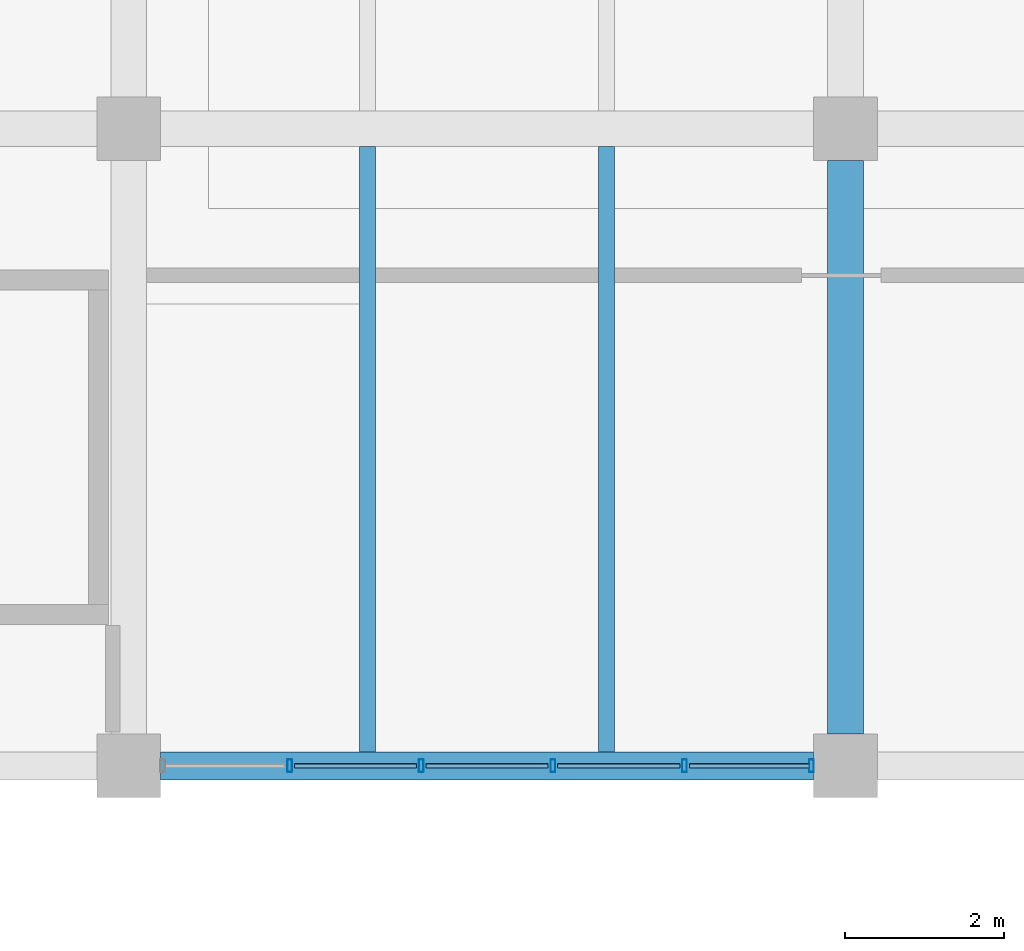
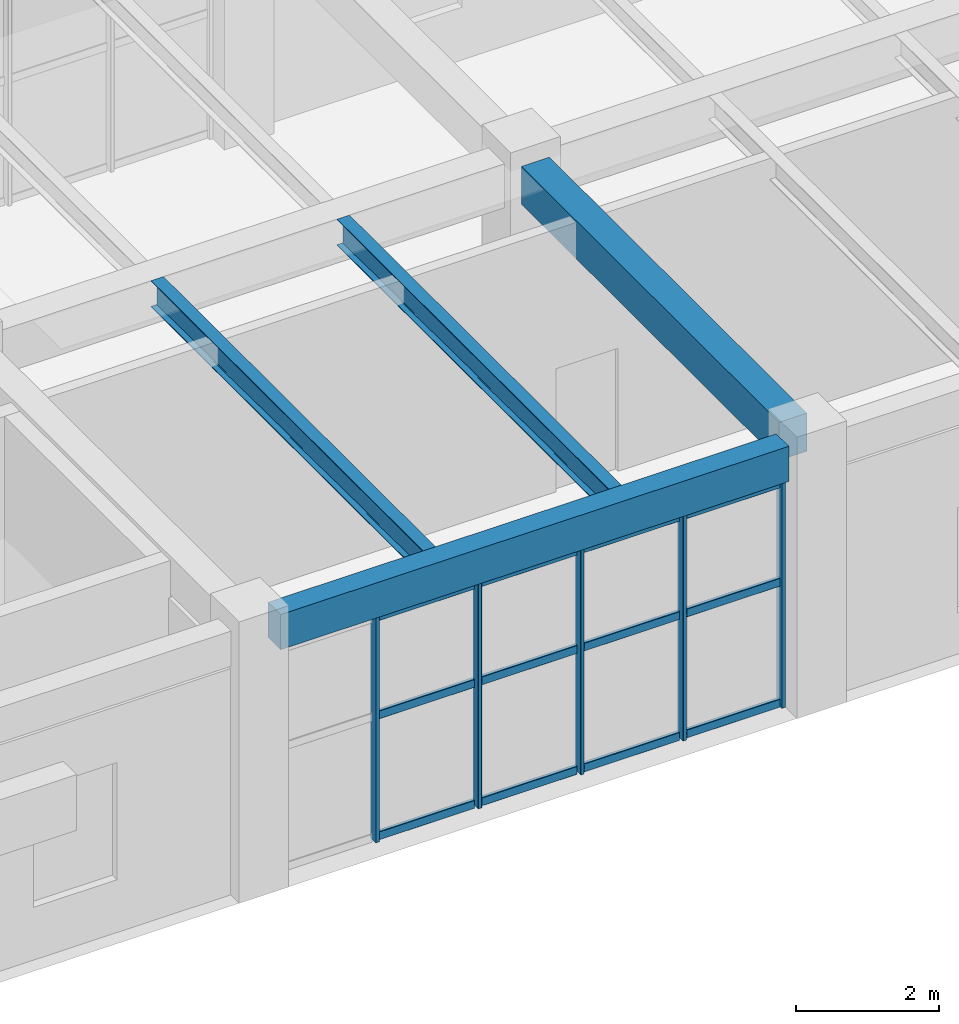
# One storey, part 109 of 178: 17 members, 4 beams, 1 element without a shape of its own.
"""IFC4 building model written with IfcOpenShell, lengths in metres."""

import ifcopenshell
import ifcopenshell.guid

model = None  # the IFC model being written
_history = None  # IfcOwnerHistory: only IFC2X3 demands one
_inside = {}  # id of a spatial element -> (the spatial element, [elements in it])
_under = {}  # id of a project, library or spatial element -> (it, [spatial elements below it])
_declared = {}  # id of a project -> (the project, [libraries it declares])
_typed = {}  # id of a type object -> (the type object, [elements of that type])
_made_of = {}  # id of a material, layer set ... -> (it, [elements and type objects made of it])


def new_model(schema):
    """Start an empty IFC model of exactly this schema.

    Asked for "IFC4X3", IfcOpenShell would pick the latest addendum, in which some entities
    have other attributes; the version numbers below select the first issue.
    IFC2X3 requires an IfcOwnerHistory on every rooted entity: one is made here for all.
    """
    global model, _history
    if schema == "IFC4X3":
        model = ifcopenshell.file(schema_version=(4, 3, 0, 0))
    else:
        model = ifcopenshell.file(schema=schema)
    _inside.clear()
    _under.clear()
    _declared.clear()
    _typed.clear()
    _made_of.clear()
    _history = None
    if model.schema == "IFC2X3":
        org = make("IfcOrganization", Name="unknown")
        user = make(
            "IfcPersonAndOrganization",
            ThePerson=make("IfcPerson", FamilyName="unknown"),
            TheOrganization=org,
        )
        app = make(
            "IfcApplication",
            ApplicationDeveloper=org,
            Version="unknown",
            ApplicationFullName="unknown",
            ApplicationIdentifier="unknown",
        )
        _history = make(
            "IfcOwnerHistory",
            OwningUser=user,
            OwningApplication=app,
            ChangeAction="ADDED",
            CreationDate=0,
        )
    return model


def make(cls, **values):
    """One entity of the class cls with the attributes given. An attribute that is None is left unset."""
    return model.create_entity(
        cls, **{name: value for name, value in values.items() if value is not None}
    )


def rooted(cls, **values):
    """An entity with a GlobalId (a new one), such as an element, a storey or a relation."""
    return make(cls, GlobalId=ifcopenshell.guid.new(), OwnerHistory=_history, **values)


def si_unit(unit_type, name, prefix=None):
    """IfcSIUnit, for example si_unit("LENGTHUNIT", "METRE", prefix="MILLI")."""
    return make("IfcSIUnit", UnitType=unit_type, Prefix=prefix, Name=name)


def derived_unit(unit_type, elements):
    """IfcDerivedUnit: a product of units, each with its exponent."""
    return make(
        "IfcDerivedUnit",
        Elements=[
            make("IfcDerivedUnitElement", Unit=unit, Exponent=power)
            for unit, power in elements
        ],
        UnitType=unit_type,
    )


def assignment(units):
    """IfcUnitAssignment: the units of a project."""
    return None if units is None else make("IfcUnitAssignment", Units=units)


def point(xyz):
    """IfcCartesianPoint."""
    return None if xyz is None else make("IfcCartesianPoint", Coordinates=xyz)


def direction(xyz):
    """IfcDirection."""
    return None if xyz is None else make("IfcDirection", DirectionRatios=xyz)


def frame(location, z_axis=None, x_axis=None):
    """IfcAxis2Placement3D, a coordinate frame: its origin and axes. An axis left out is left unset."""
    return make(
        "IfcAxis2Placement3D",
        Location=point(location),
        Axis=direction(z_axis),
        RefDirection=direction(x_axis),
    )


def frame_2d(location, x_axis=None):
    """IfcAxis2Placement2D, a coordinate frame in the plane: its origin and x axis."""
    return make(
        "IfcAxis2Placement2D", Location=point(location), RefDirection=direction(x_axis)
    )


def origin():
    """The frame at (0, 0, 0) with its axes left unset."""
    return frame((0.0, 0.0, 0.0))


def origin_2d():
    """The frame at (0, 0) in the plane with its x axis left unset."""
    return frame_2d((0.0, 0.0))


def place(relative_to, where):
    """IfcLocalPlacement: puts the frame where relative to a parent placement (None: the world)."""
    return make(
        "IfcLocalPlacement", PlacementRelTo=relative_to, RelativePlacement=where
    )


def context(
    kind, dimensions, precision=None, world=None, true_north=None, identifier=None
):
    """IfcGeometricRepresentationContext, for example the 3D "Model" context."""
    return make(
        "IfcGeometricRepresentationContext",
        ContextIdentifier=identifier,
        ContextType=kind,
        CoordinateSpaceDimension=dimensions,
        Precision=precision,
        WorldCoordinateSystem=world,
        TrueNorth=true_north,
    )


def subcontext(parent, identifier, kind, view, scale=None):
    """IfcGeometricRepresentationSubContext, for example "Body" below "Model"."""
    return make(
        "IfcGeometricRepresentationSubContext",
        ContextIdentifier=identifier,
        ContextType=kind,
        ParentContext=parent,
        TargetScale=scale,
        TargetView=view,
    )


def project(units=None, contexts=None):
    """IfcProject with its units and contexts."""
    return rooted(
        "IfcProject",
        Name="project",
        RepresentationContexts=contexts,
        UnitsInContext=assignment(units),
    )


def spatial(cls, under=None, at=None, **own):
    """A site, building, storey or space (cls), placed at a placement, below another one or the project."""
    s = rooted(cls, ObjectPlacement=at, **own)
    if under is not None:
        _under.setdefault(under.id(), (under, []))[1].append(s)
    return s


def profile(cls, at=None, kind="AREA", **sizes):
    """A parametric profile (cls). Its sizes go by their IFC names, for example OverallWidth=200.0."""
    return make(cls, ProfileType=kind, Position=at, **sizes)


def rectangle(**sizes):
    """IfcRectangleProfileDef."""
    return profile("IfcRectangleProfileDef", **sizes)


def hollow_rectangle(**sizes):
    """IfcRectangleHollowProfileDef."""
    return profile("IfcRectangleHollowProfileDef", **sizes)


def i_section(**sizes):
    """IfcIShapeProfileDef."""
    return profile("IfcIShapeProfileDef", **sizes)


def extrude(swept, where, along, depth):
    """IfcExtrudedAreaSolid: the profile swept, set in the frame where, extruded along a direction by depth."""
    return make(
        "IfcExtrudedAreaSolid",
        SweptArea=swept,
        Position=where,
        ExtrudedDirection=direction(along),
        Depth=depth,
    )


def shape(context_of_items, identifier, shape_type, items):
    """IfcShapeRepresentation: the items that make up one representation, for example the "Body"."""
    return make(
        "IfcShapeRepresentation",
        ContextOfItems=context_of_items,
        RepresentationIdentifier=identifier,
        RepresentationType=shape_type,
        Items=items,
    )


def material(Name=None, Category=None):
    """IfcMaterial."""
    return make("IfcMaterial", Name=Name, Category=Category)


def material_profile(
    of_material, cross_section, Name=None, Category=None, Priority=None
):
    """IfcMaterialProfile: a cross section and its material."""
    return make(
        "IfcMaterialProfile",
        Name=Name,
        Material=of_material,
        Profile=cross_section,
        Priority=Priority,
        Category=Category,
    )


def profile_set(profiles, Name=None, composite=None):
    """IfcMaterialProfileSet."""
    return make(
        "IfcMaterialProfileSet",
        Name=Name,
        MaterialProfiles=profiles,
        CompositeProfile=composite,
    )


def made_of(thing, what):
    """Note that an element or type object is made of a material, layer set ...; save() writes the relation."""
    if what is not None:
        _made_of.setdefault(what.id(), (what, []))[1].append(thing)
    return thing


def type_object(cls, material=None, **own):
    """A type object (cls), such as IfcWallType, which elements share."""
    return made_of(rooted(cls, **own), material)


def element(
    cls,
    number,
    at=None,
    inside=None,
    cuts=None,
    type_object=None,
    material=None,
    context=None,
    identifier="Body",
    shape_type=None,
    held_by="IfcProductDefinitionShape",
    body=None,
    shapes=None,
    **own,
):
    """One element of the class cls, such as IfcWall. Its Tag is "e" and its number.

    at: its placement. inside: the storey or other place that contains it. cuts: it is an
    opening in that element (IfcRelVoidsElement). A single representation is given by context,
    identifier, shape_type and body (its items); several are given by shapes. held_by: the class
    of the entity that holds the representations. save() writes the other relations.
    """
    e = rooted(cls, Tag="e%d" % number, ObjectPlacement=at, **own)
    if body is not None:
        shapes = [shape(context, identifier, shape_type, body)]
    if shapes is not None:
        e.Representation = make(held_by, Representations=shapes)
    if inside is not None:
        _inside.setdefault(inside.id(), (inside, []))[1].append(e)
    if cuts is not None:
        rooted(
            "IfcRelVoidsElement", RelatingBuildingElement=cuts, RelatedOpeningElement=e
        )
    if type_object is not None:
        _typed.setdefault(type_object.id(), (type_object, []))[1].append(e)
    return made_of(e, material)


def aggregate(whole, parts):
    """IfcRelAggregates: a whole, such as a stair, and the parts it consists of."""
    return rooted("IfcRelAggregates", RelatingObject=whole, RelatedObjects=parts)


def save(model, path):
    """Write the relations noted so far, then the file.

    IfcRelAggregates (storeys below a building ...), IfcRelContainedInSpatialStructure (elements
    in a storey), IfcRelDefinesByType, IfcRelAssociatesMaterial and IfcRelDeclares: one each for
    every whole, place, type object, material and project.
    """
    for whole, parts in _under.values():
        aggregate(whole, parts)
    for where, things in _inside.values():
        rooted(
            "IfcRelContainedInSpatialStructure",
            RelatedElements=things,
            RelatingStructure=where,
        )
    for kind, things in _typed.values():
        rooted("IfcRelDefinesByType", RelatedObjects=things, RelatingType=kind)
    for what, things in _made_of.values():
        rooted("IfcRelAssociatesMaterial", RelatedObjects=things, RelatingMaterial=what)
    for by, libraries in _declared.values():
        rooted("IfcRelDeclares", RelatingContext=by, RelatedDefinitions=libraries)
    model.write(path)


model = new_model("IFC4")

# Units and contexts
model_context = context("Model", 3, precision=1e-05, world=origin(), true_north=direction((0.0, 1.0)))
body_context = subcontext(model_context, "Body", "Model", "MODEL_VIEW")
ifc_project = project(units=[si_unit("LENGTHUNIT", "METRE"), si_unit("AREAUNIT", "SQUARE_METRE"), si_unit("VOLUMEUNIT", "CUBIC_METRE"), si_unit("PLANEANGLEUNIT", "RADIAN"), si_unit("MASSUNIT", "GRAM", prefix="KILO"), derived_unit("THERMALTRANSMITTANCEUNIT", [(si_unit("MASSUNIT", "GRAM", prefix="KILO"), 1), (si_unit("TIMEUNIT", "SECOND"), -3), (si_unit("THERMODYNAMICTEMPERATUREUNIT", "KELVIN"), -1)])], contexts=[model_context])

# Site, building, storey
site_placement = place(None, origin())
site = spatial("IfcSite", under=ifc_project, at=site_placement, CompositionType="ELEMENT")
building_placement = place(site_placement, origin())
building = spatial("IfcBuilding", under=site, at=building_placement, Name="Zhenchuan Archway Interchange", CompositionType="ELEMENT")
storey_placement = place(building_placement, frame((0.0, 0.0, 5.39990234375)))
storey = spatial("IfcBuildingStorey", under=building, at=storey_placement, Name="L01", CompositionType="ELEMENT", Elevation=5.39990234375)

# Beam
ifc_material_1 = material(Name="Concrete C40", Category="concrete")
ifc_material_profile_1 = material_profile(ifc_material_1, rectangle(XDim=0.449951171875, YDim=0.64990234375, at=origin_2d()), Name="RC 450x650")
ifc_profile_set_1 = profile_set([ifc_material_profile_1], Name="Concrete C40")
beam_type_1 = type_object("IfcBeamType", Name="BM_RC_450x650", PredefinedType="BEAM", material=ifc_profile_set_1)
beam_1_placement = place(storey_placement, frame((135.0, 8.39990234375, 4.18505859375), z_axis=(0.0, 1.0, 0.0), x_axis=(-1.0, 0.0, 0.0)))
element("IfcBeam", 1, at=beam_1_placement, inside=storey, type_object=beam_type_1, Name="Beam 16:B-C (L01)", PredefinedType="BEAM", context=body_context, shape_type="SweptSolid", body=[
    extrude(rectangle(XDim=0.449951171875, YDim=0.64990234375, at=origin_2d()), origin(), (0.0, 0.0, 1.0), 7.2001953125),
])

# Curtain wall, members
ifc_material_2 = material(Name="Anodised Aluminium", Category="aluminium")
curtain_wall_type = type_object("IfcCurtainWallType", Name="CW_UNIT_4", PredefinedType="NOTDEFINED", material=ifc_material_2)
curtain_wall_placement = place(storey_placement, origin())
curtain_wall = element("IfcCurtainWall", 2, at=curtain_wall_placement, inside=storey, type_object=curtain_wall_type, Name="Unitised curtain wall CW:L01:071", PredefinedType="NOTDEFINED")
ifc_material_profile_2 = material_profile(ifc_material_2, hollow_rectangle(XDim=0.06005859375, YDim=0.159912109375, WallThickness=0.00390625, InnerFilletRadius=0.00390625, OuterFilletRadius=0.008056640625, at=origin_2d()), Name="ALU 160x60x4")
ifc_profile_set_2 = profile_set([ifc_material_profile_2], Name="Anodised Aluminium")
member_type_1 = type_object("IfcMemberType", Name="CW_MUL_150", PredefinedType="MULLION", material=ifc_profile_set_2)
member_1_placement = place(storey_placement, frame((134.572021484375, 8.0, 0.0), z_axis=(0.0, 0.0, 1.0), x_axis=(1.0, 0.0, 0.0)))
member_1 = element("IfcMember", 3, at=member_1_placement, type_object=member_type_1, Name="CW:L01:071 mullion 0", PredefinedType="MULLION", context=body_context, shape_type="SweptSolid", body=[
    extrude(hollow_rectangle(XDim=0.06005859375, YDim=0.159912109375, WallThickness=0.00390625, InnerFilletRadius=0.00390625, OuterFilletRadius=0.008056640625, at=origin_2d()), origin(), (0.0, 0.0, 1.0), 3.880126953125),
])
member_2_placement = place(storey_placement, frame((132.979248046875, 8.0, 0.0), z_axis=(0.0, 0.0, 1.0), x_axis=(1.0, 0.0, 0.0)))
member_2 = element("IfcMember", 4, at=member_2_placement, type_object=member_type_1, Name="CW:L01:071 mullion 1", PredefinedType="MULLION", context=body_context, shape_type="SweptSolid", body=[
    extrude(hollow_rectangle(XDim=0.06005859375, YDim=0.159912109375, WallThickness=0.00390625, InnerFilletRadius=0.00390625, OuterFilletRadius=0.008056640625, at=origin_2d()), origin(), (0.0, 0.0, 1.0), 3.880126953125),
])
member_3_placement = place(storey_placement, frame((131.326416015625, 8.0, 0.0), z_axis=(0.0, 0.0, 1.0), x_axis=(1.0, 0.0, 0.0)))
member_3 = element("IfcMember", 5, at=member_3_placement, type_object=member_type_1, Name="CW:L01:071 mullion 2", PredefinedType="MULLION", context=body_context, shape_type="SweptSolid", body=[
    extrude(hollow_rectangle(XDim=0.06005859375, YDim=0.159912109375, WallThickness=0.00390625, InnerFilletRadius=0.00390625, OuterFilletRadius=0.008056640625, at=origin_2d()), origin(), (0.0, 0.0, 1.0), 3.880126953125),
])
member_4_placement = place(storey_placement, frame((129.673583984375, 8.0, 0.0), z_axis=(0.0, 0.0, 1.0), x_axis=(1.0, 0.0, 0.0)))
member_4 = element("IfcMember", 6, at=member_4_placement, type_object=member_type_1, Name="CW:L01:071 mullion 3", PredefinedType="MULLION", context=body_context, shape_type="SweptSolid", body=[
    extrude(hollow_rectangle(XDim=0.06005859375, YDim=0.159912109375, WallThickness=0.00390625, InnerFilletRadius=0.00390625, OuterFilletRadius=0.008056640625, at=origin_2d()), origin(), (0.0, 0.0, 1.0), 3.880126953125),
])
member_5_placement = place(storey_placement, frame((128.020751953125, 8.0, 0.0), z_axis=(0.0, 0.0, 1.0), x_axis=(1.0, 0.0, 0.0)))
member_5 = element("IfcMember", 7, at=member_5_placement, type_object=member_type_1, Name="CW:L01:071 mullion 4", PredefinedType="MULLION", context=body_context, shape_type="SweptSolid", body=[
    extrude(hollow_rectangle(XDim=0.06005859375, YDim=0.159912109375, WallThickness=0.00390625, InnerFilletRadius=0.00390625, OuterFilletRadius=0.008056640625, at=origin_2d()), origin(), (0.0, 0.0, 1.0), 3.880126953125),
])
ifc_material_profile_3 = material_profile(ifc_material_2, hollow_rectangle(XDim=0.06005859375, YDim=0.139892578125, WallThickness=0.00341796875, InnerFilletRadius=0.00341796875, OuterFilletRadius=0.007080078125, at=origin_2d()), Name="ALU 140x60x3.5")
ifc_profile_set_3 = profile_set([ifc_material_profile_3], Name="Anodised Aluminium")
member_type_2 = type_object("IfcMemberType", Name="CW_TRN_140", PredefinedType="USERDEFINED", material=ifc_profile_set_3)
member_6_placement = place(storey_placement, frame((134.552001953125, 8.0, 0.06005859375), z_axis=(-1.0, 0.0, 0.0), x_axis=(0.0, -1.0, 0.0)))
member_6 = element("IfcMember", 8, at=member_6_placement, type_object=member_type_2, Name="CW:L01:071 transom 0-1", ObjectType="TRANSOM", PredefinedType="USERDEFINED", context=body_context, shape_type="SweptSolid", body=[
    extrude(hollow_rectangle(XDim=0.06005859375, YDim=0.139892578125, WallThickness=0.00341796875, InnerFilletRadius=0.00341796875, OuterFilletRadius=0.007080078125, at=origin_2d()), origin(), (0.0, 0.0, 1.0), 1.5126953125),
])
member_7_placement = place(storey_placement, frame((134.552001953125, 8.0, 2.123046875), z_axis=(-1.0, 0.0, 0.0), x_axis=(0.0, -1.0, 0.0)))
member_7 = element("IfcMember", 9, at=member_7_placement, type_object=member_type_2, Name="CW:L01:071 transom 0-2", ObjectType="TRANSOM", PredefinedType="USERDEFINED", context=body_context, shape_type="SweptSolid", body=[
    extrude(hollow_rectangle(XDim=0.06005859375, YDim=0.139892578125, WallThickness=0.00341796875, InnerFilletRadius=0.00341796875, OuterFilletRadius=0.007080078125, at=origin_2d()), origin(), (0.0, 0.0, 1.0), 1.5126953125),
])
member_8_placement = place(storey_placement, frame((134.552001953125, 8.0, 3.800048828125), z_axis=(-1.0, 0.0, 0.0), x_axis=(0.0, -1.0, 0.0)))
member_8 = element("IfcMember", 10, at=member_8_placement, type_object=member_type_2, Name="CW:L01:071 transom 0-3", ObjectType="TRANSOM", PredefinedType="USERDEFINED", context=body_context, shape_type="SweptSolid", body=[
    extrude(hollow_rectangle(XDim=0.06005859375, YDim=0.139892578125, WallThickness=0.00341796875, InnerFilletRadius=0.00341796875, OuterFilletRadius=0.007080078125, at=origin_2d()), origin(), (0.0, 0.0, 1.0), 1.5126953125),
])
member_9_placement = place(storey_placement, frame((132.919189453125, 8.0, 0.06005859375), z_axis=(-1.0, 0.0, 0.0), x_axis=(0.0, -1.0, 0.0)))
member_9 = element("IfcMember", 11, at=member_9_placement, type_object=member_type_2, Name="CW:L01:071 transom 1-1", ObjectType="TRANSOM", PredefinedType="USERDEFINED", context=body_context, shape_type="SweptSolid", body=[
    extrude(hollow_rectangle(XDim=0.06005859375, YDim=0.139892578125, WallThickness=0.00341796875, InnerFilletRadius=0.00341796875, OuterFilletRadius=0.007080078125, at=origin_2d()), origin(), (0.0, 0.0, 1.0), 1.53271484375),
])
member_10_placement = place(storey_placement, frame((132.919189453125, 8.0, 2.123046875), z_axis=(-1.0, 0.0, 0.0), x_axis=(0.0, -1.0, 0.0)))
member_10 = element("IfcMember", 12, at=member_10_placement, type_object=member_type_2, Name="CW:L01:071 transom 1-2", ObjectType="TRANSOM", PredefinedType="USERDEFINED", context=body_context, shape_type="SweptSolid", body=[
    extrude(hollow_rectangle(XDim=0.06005859375, YDim=0.139892578125, WallThickness=0.00341796875, InnerFilletRadius=0.00341796875, OuterFilletRadius=0.007080078125, at=origin_2d()), origin(), (0.0, 0.0, 1.0), 1.53271484375),
])
member_11_placement = place(storey_placement, frame((132.919189453125, 8.0, 3.800048828125), z_axis=(-1.0, 0.0, 0.0), x_axis=(0.0, -1.0, 0.0)))
member_11 = element("IfcMember", 13, at=member_11_placement, type_object=member_type_2, Name="CW:L01:071 transom 1-3", ObjectType="TRANSOM", PredefinedType="USERDEFINED", context=body_context, shape_type="SweptSolid", body=[
    extrude(hollow_rectangle(XDim=0.06005859375, YDim=0.139892578125, WallThickness=0.00341796875, InnerFilletRadius=0.00341796875, OuterFilletRadius=0.007080078125, at=origin_2d()), origin(), (0.0, 0.0, 1.0), 1.53271484375),
])
member_12_placement = place(storey_placement, frame((131.266357421875, 8.0, 0.06005859375), z_axis=(-1.0, 0.0, 0.0), x_axis=(0.0, -1.0, 0.0)))
member_12 = element("IfcMember", 14, at=member_12_placement, type_object=member_type_2, Name="CW:L01:071 transom 2-1", ObjectType="TRANSOM", PredefinedType="USERDEFINED", context=body_context, shape_type="SweptSolid", body=[
    extrude(hollow_rectangle(XDim=0.06005859375, YDim=0.139892578125, WallThickness=0.00341796875, InnerFilletRadius=0.00341796875, OuterFilletRadius=0.007080078125, at=origin_2d()), origin(), (0.0, 0.0, 1.0), 1.53271484375),
])
member_13_placement = place(storey_placement, frame((131.266357421875, 8.0, 2.123046875), z_axis=(-1.0, 0.0, 0.0), x_axis=(0.0, -1.0, 0.0)))
member_13 = element("IfcMember", 15, at=member_13_placement, type_object=member_type_2, Name="CW:L01:071 transom 2-2", ObjectType="TRANSOM", PredefinedType="USERDEFINED", context=body_context, shape_type="SweptSolid", body=[
    extrude(hollow_rectangle(XDim=0.06005859375, YDim=0.139892578125, WallThickness=0.00341796875, InnerFilletRadius=0.00341796875, OuterFilletRadius=0.007080078125, at=origin_2d()), origin(), (0.0, 0.0, 1.0), 1.53271484375),
])
member_14_placement = place(storey_placement, frame((131.266357421875, 8.0, 3.800048828125), z_axis=(-1.0, 0.0, 0.0), x_axis=(0.0, -1.0, 0.0)))
member_14 = element("IfcMember", 16, at=member_14_placement, type_object=member_type_2, Name="CW:L01:071 transom 2-3", ObjectType="TRANSOM", PredefinedType="USERDEFINED", context=body_context, shape_type="SweptSolid", body=[
    extrude(hollow_rectangle(XDim=0.06005859375, YDim=0.139892578125, WallThickness=0.00341796875, InnerFilletRadius=0.00341796875, OuterFilletRadius=0.007080078125, at=origin_2d()), origin(), (0.0, 0.0, 1.0), 1.53271484375),
])
member_15_placement = place(storey_placement, frame((129.613525390625, 8.0, 0.06005859375), z_axis=(-1.0, 0.0, 0.0), x_axis=(0.0, -1.0, 0.0)))
member_15 = element("IfcMember", 17, at=member_15_placement, type_object=member_type_2, Name="CW:L01:071 transom 3-1", ObjectType="TRANSOM", PredefinedType="USERDEFINED", context=body_context, shape_type="SweptSolid", body=[
    extrude(hollow_rectangle(XDim=0.06005859375, YDim=0.139892578125, WallThickness=0.00341796875, InnerFilletRadius=0.00341796875, OuterFilletRadius=0.007080078125, at=origin_2d()), origin(), (0.0, 0.0, 1.0), 1.53271484375),
])
member_16_placement = place(storey_placement, frame((129.613525390625, 8.0, 2.123046875), z_axis=(-1.0, 0.0, 0.0), x_axis=(0.0, -1.0, 0.0)))
member_16 = element("IfcMember", 18, at=member_16_placement, type_object=member_type_2, Name="CW:L01:071 transom 3-2", ObjectType="TRANSOM", PredefinedType="USERDEFINED", context=body_context, shape_type="SweptSolid", body=[
    extrude(hollow_rectangle(XDim=0.06005859375, YDim=0.139892578125, WallThickness=0.00341796875, InnerFilletRadius=0.00341796875, OuterFilletRadius=0.007080078125, at=origin_2d()), origin(), (0.0, 0.0, 1.0), 1.53271484375),
])
member_17_placement = place(storey_placement, frame((129.613525390625, 8.0, 3.800048828125), z_axis=(-1.0, 0.0, 0.0), x_axis=(0.0, -1.0, 0.0)))
member_17 = element("IfcMember", 19, at=member_17_placement, type_object=member_type_2, Name="CW:L01:071 transom 3-3", ObjectType="TRANSOM", PredefinedType="USERDEFINED", context=body_context, shape_type="SweptSolid", body=[
    extrude(hollow_rectangle(XDim=0.06005859375, YDim=0.139892578125, WallThickness=0.00341796875, InnerFilletRadius=0.00341796875, OuterFilletRadius=0.007080078125, at=origin_2d()), origin(), (0.0, 0.0, 1.0), 1.53271484375),
])
aggregate(curtain_wall, [member_1, member_2, member_3, member_4, member_5, member_6, member_7, member_8, member_9, member_10, member_11, member_12, member_13, member_14, member_15, member_16, member_17])

# Beams
ifc_material_3 = material(Name="Steel Q355", Category="steel")
ifc_material_profile_4 = material_profile(ifc_material_3, i_section(OverallWidth=0.199951171875, OverallDepth=0.449951171875, WebThickness=0.009033203125, FlangeThickness=0.013916015625, FilletRadius=0.01806640625, at=origin_2d()), Name="HN 450x200")
ifc_profile_set_4 = profile_set([ifc_material_profile_4], Name="Steel Q355")
beam_type_2 = type_object("IfcBeamType", Name="JST_STL_HN450", PredefinedType="JOIST", material=ifc_profile_set_4)
for number, where, z_axis, x_axis, name in (
    (20, (129.0, 8.175048828125, 4.28515625), (0.0, 1.0, 0.0), (-1.0, 0.0, 0.0), "Secondary joist 15-16/B-C #1 (L01)"),
    (21, (132.0, 8.175048828125, 4.28515625), (0.0, 1.0, 0.0), (-1.0, 0.0, 0.0), "Secondary joist 15-16/B-C #2 (L01)"),
):
    element("IfcBeam", number, at=place(storey_placement, frame(where, z_axis=z_axis, x_axis=x_axis)), inside=storey, type_object=beam_type_2, Name=name, PredefinedType="JOIST", context=body_context, shape_type="SweptSolid", body=[
        extrude(i_section(OverallWidth=0.199951171875, OverallDepth=0.449951171875, WebThickness=0.009033203125, FlangeThickness=0.013916015625, FilletRadius=0.01806640625, at=origin_2d()), origin(), (0.0, 0.0, 1.0), 7.599853515625),
    ])
ifc_material_profile_5 = material_profile(ifc_material_1, rectangle(XDim=0.35009765625, YDim=0.60009765625, at=origin_2d()), Name="RC 350x600")
ifc_profile_set_5 = profile_set([ifc_material_profile_5], Name="Concrete C40")
beam_type_3 = type_object("IfcBeamType", Name="SP_RC_350x600", PredefinedType="SPANDREL", material=ifc_profile_set_5)
beam_2_placement = place(storey_placement, frame((126.39990234375, 8.0, 4.210205078125), z_axis=(1.0, 0.0, 0.0), x_axis=(0.0, 1.0, 0.0)))
element("IfcBeam", 22, at=beam_2_placement, inside=storey, type_object=beam_type_3, Name="Beam B:15-16 (L01)", PredefinedType="SPANDREL", context=body_context, shape_type="SweptSolid", body=[
    extrude(rectangle(XDim=0.35009765625, YDim=0.60009765625, at=origin_2d()), origin(), (0.0, 0.0, 1.0), 8.2001953125),
])

save(model, "model.ifc")
